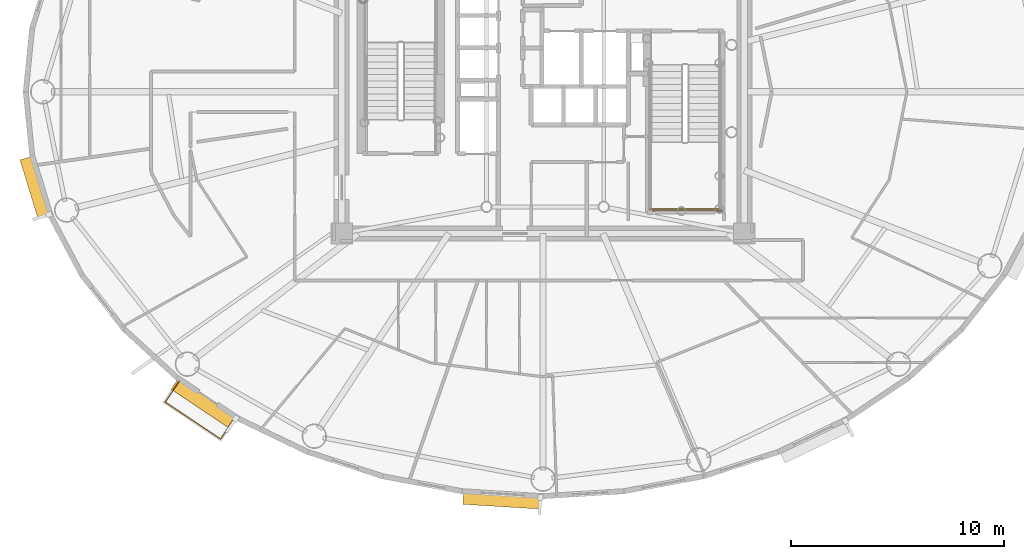
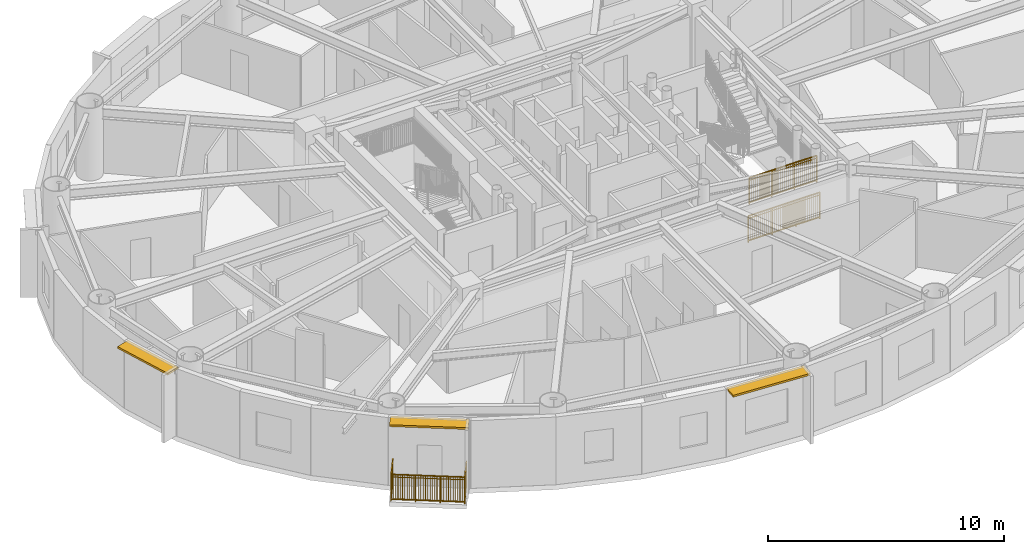
# One storey, part 13 of 19: 3 railings, 3 shading devices.
"""IFC4 building model written with IfcOpenShell, lengths in metres."""

import ifcopenshell
import ifcopenshell.guid

model = None  # the IFC model being written
_history = None  # IfcOwnerHistory: only IFC2X3 demands one
_inside = {}  # id of a spatial element -> (the spatial element, [elements in it])
_under = {}  # id of a project, library or spatial element -> (it, [spatial elements below it])
_declared = {}  # id of a project -> (the project, [libraries it declares])
_typed = {}  # id of a type object -> (the type object, [elements of that type])
_made_of = {}  # id of a material, layer set ... -> (it, [elements and type objects made of it])


def new_model(schema):
    """Start an empty IFC model of exactly this schema.

    Asked for "IFC4X3", IfcOpenShell would pick the latest addendum, in which some entities
    have other attributes; the version numbers below select the first issue.
    IFC2X3 requires an IfcOwnerHistory on every rooted entity: one is made here for all.
    """
    global model, _history
    if schema == "IFC4X3":
        model = ifcopenshell.file(schema_version=(4, 3, 0, 0))
    else:
        model = ifcopenshell.file(schema=schema)
    _inside.clear()
    _under.clear()
    _declared.clear()
    _typed.clear()
    _made_of.clear()
    _history = None
    if model.schema == "IFC2X3":
        org = make("IfcOrganization", Name="unknown")
        user = make(
            "IfcPersonAndOrganization",
            ThePerson=make("IfcPerson", FamilyName="unknown"),
            TheOrganization=org,
        )
        app = make(
            "IfcApplication",
            ApplicationDeveloper=org,
            Version="unknown",
            ApplicationFullName="unknown",
            ApplicationIdentifier="unknown",
        )
        _history = make(
            "IfcOwnerHistory",
            OwningUser=user,
            OwningApplication=app,
            ChangeAction="ADDED",
            CreationDate=0,
        )
    return model


def make(cls, **values):
    """One entity of the class cls with the attributes given. An attribute that is None is left unset."""
    return model.create_entity(
        cls, **{name: value for name, value in values.items() if value is not None}
    )


def rooted(cls, **values):
    """An entity with a GlobalId (a new one), such as an element, a storey or a relation."""
    return make(cls, GlobalId=ifcopenshell.guid.new(), OwnerHistory=_history, **values)


def si_unit(unit_type, name, prefix=None):
    """IfcSIUnit, for example si_unit("LENGTHUNIT", "METRE", prefix="MILLI")."""
    return make("IfcSIUnit", UnitType=unit_type, Prefix=prefix, Name=name)


def assignment(units):
    """IfcUnitAssignment: the units of a project."""
    return None if units is None else make("IfcUnitAssignment", Units=units)


def point(xyz):
    """IfcCartesianPoint."""
    return None if xyz is None else make("IfcCartesianPoint", Coordinates=xyz)


def direction(xyz):
    """IfcDirection."""
    return None if xyz is None else make("IfcDirection", DirectionRatios=xyz)


def frame(location, z_axis=None, x_axis=None):
    """IfcAxis2Placement3D, a coordinate frame: its origin and axes. An axis left out is left unset."""
    return make(
        "IfcAxis2Placement3D",
        Location=point(location),
        Axis=direction(z_axis),
        RefDirection=direction(x_axis),
    )


def frame_2d(location, x_axis=None):
    """IfcAxis2Placement2D, a coordinate frame in the plane: its origin and x axis."""
    return make(
        "IfcAxis2Placement2D", Location=point(location), RefDirection=direction(x_axis)
    )


def origin():
    """The frame at (0, 0, 0) with its axes left unset."""
    return frame((0.0, 0.0, 0.0))


def origin_2d():
    """The frame at (0, 0) in the plane with its x axis left unset."""
    return frame_2d((0.0, 0.0))


def place(relative_to, where):
    """IfcLocalPlacement: puts the frame where relative to a parent placement (None: the world)."""
    return make(
        "IfcLocalPlacement", PlacementRelTo=relative_to, RelativePlacement=where
    )


def context(
    kind, dimensions, precision=None, world=None, true_north=None, identifier=None
):
    """IfcGeometricRepresentationContext, for example the 3D "Model" context."""
    return make(
        "IfcGeometricRepresentationContext",
        ContextIdentifier=identifier,
        ContextType=kind,
        CoordinateSpaceDimension=dimensions,
        Precision=precision,
        WorldCoordinateSystem=world,
        TrueNorth=true_north,
    )


def subcontext(parent, identifier, kind, view, scale=None):
    """IfcGeometricRepresentationSubContext, for example "Body" below "Model"."""
    return make(
        "IfcGeometricRepresentationSubContext",
        ContextIdentifier=identifier,
        ContextType=kind,
        ParentContext=parent,
        TargetScale=scale,
        TargetView=view,
    )


def project(units=None, contexts=None):
    """IfcProject with its units and contexts."""
    return rooted(
        "IfcProject",
        Name="project",
        RepresentationContexts=contexts,
        UnitsInContext=assignment(units),
    )


def spatial(cls, under=None, at=None, **own):
    """A site, building, storey or space (cls), placed at a placement, below another one or the project."""
    s = rooted(cls, ObjectPlacement=at, **own)
    if under is not None:
        _under.setdefault(under.id(), (under, []))[1].append(s)
    return s


def profile(cls, at=None, kind="AREA", **sizes):
    """A parametric profile (cls). Its sizes go by their IFC names, for example OverallWidth=200.0."""
    return make(cls, ProfileType=kind, Position=at, **sizes)


def rectangle(**sizes):
    """IfcRectangleProfileDef."""
    return profile("IfcRectangleProfileDef", **sizes)


def extrude(swept, where, along, depth):
    """IfcExtrudedAreaSolid: the profile swept, set in the frame where, extruded along a direction by depth."""
    return make(
        "IfcExtrudedAreaSolid",
        SweptArea=swept,
        Position=where,
        ExtrudedDirection=direction(along),
        Depth=depth,
    )


def shape(context_of_items, identifier, shape_type, items):
    """IfcShapeRepresentation: the items that make up one representation, for example the "Body"."""
    return make(
        "IfcShapeRepresentation",
        ContextOfItems=context_of_items,
        RepresentationIdentifier=identifier,
        RepresentationType=shape_type,
        Items=items,
    )


def source(mapping_origin, context_of_items, identifier, shape_type, items):
    """IfcRepresentationMap: a shape defined once, which mapped items show again and again."""
    return make(
        "IfcRepresentationMap",
        MappingOrigin=mapping_origin,
        MappedRepresentation=shape(context_of_items, identifier, shape_type, items),
    )


def transform(
    local_origin,
    x_axis=None,
    y_axis=None,
    z_axis=None,
    scale=None,
    scale2=None,
    scale3=None,
    uniform=True,
):
    """IfcCartesianTransformationOperator3D, or its non-uniform kind. x_axis, y_axis, z_axis: its Axis1, 2, 3."""
    if uniform:
        return make(
            "IfcCartesianTransformationOperator3D",
            Axis1=direction(x_axis),
            Axis2=direction(y_axis),
            LocalOrigin=point(local_origin),
            Scale=scale,
            Axis3=direction(z_axis),
        )
    return make(
        "IfcCartesianTransformationOperator3DnonUniform",
        Axis1=direction(x_axis),
        Axis2=direction(y_axis),
        LocalOrigin=point(local_origin),
        Scale=scale,
        Axis3=direction(z_axis),
        Scale2=scale2,
        Scale3=scale3,
    )


def mapped(mapping_source, mapping_target):
    """IfcMappedItem: shows the shape of a source again, moved by a transform."""
    return make(
        "IfcMappedItem", MappingSource=mapping_source, MappingTarget=mapping_target
    )


def material(Name=None, Category=None):
    """IfcMaterial."""
    return make("IfcMaterial", Name=Name, Category=Category)


def layer(
    of_material, thickness, ventilated=None, Name=None, Category=None, Priority=None
):
    """IfcMaterialLayer: one layer of a wall or slab, of a material (None: an air gap)."""
    return make(
        "IfcMaterialLayer",
        Material=of_material,
        LayerThickness=thickness,
        IsVentilated=ventilated,
        Name=Name,
        Category=Category,
        Priority=Priority,
    )


def layer_set(layers, Name=None):
    """IfcMaterialLayerSet."""
    return make("IfcMaterialLayerSet", MaterialLayers=layers, LayerSetName=Name)


def made_of(thing, what):
    """Note that an element or type object is made of a material, layer set ...; save() writes the relation."""
    if what is not None:
        _made_of.setdefault(what.id(), (what, []))[1].append(thing)
    return thing


def type_object(cls, material=None, **own):
    """A type object (cls), such as IfcWallType, which elements share."""
    return made_of(rooted(cls, **own), material)


def element(
    cls,
    number,
    at=None,
    inside=None,
    cuts=None,
    type_object=None,
    material=None,
    context=None,
    identifier="Body",
    shape_type=None,
    held_by="IfcProductDefinitionShape",
    body=None,
    shapes=None,
    **own,
):
    """One element of the class cls, such as IfcWall. Its Tag is "e" and its number.

    at: its placement. inside: the storey or other place that contains it. cuts: it is an
    opening in that element (IfcRelVoidsElement). A single representation is given by context,
    identifier, shape_type and body (its items); several are given by shapes. held_by: the class
    of the entity that holds the representations. save() writes the other relations.
    """
    e = rooted(cls, Tag="e%d" % number, ObjectPlacement=at, **own)
    if body is not None:
        shapes = [shape(context, identifier, shape_type, body)]
    if shapes is not None:
        e.Representation = make(held_by, Representations=shapes)
    if inside is not None:
        _inside.setdefault(inside.id(), (inside, []))[1].append(e)
    if cuts is not None:
        rooted(
            "IfcRelVoidsElement", RelatingBuildingElement=cuts, RelatedOpeningElement=e
        )
    if type_object is not None:
        _typed.setdefault(type_object.id(), (type_object, []))[1].append(e)
    return made_of(e, material)


def aggregate(whole, parts):
    """IfcRelAggregates: a whole, such as a stair, and the parts it consists of."""
    return rooted("IfcRelAggregates", RelatingObject=whole, RelatedObjects=parts)


def save(model, path):
    """Write the relations noted so far, then the file.

    IfcRelAggregates (storeys below a building ...), IfcRelContainedInSpatialStructure (elements
    in a storey), IfcRelDefinesByType, IfcRelAssociatesMaterial and IfcRelDeclares: one each for
    every whole, place, type object, material and project.
    """
    for whole, parts in _under.values():
        aggregate(whole, parts)
    for where, things in _inside.values():
        rooted(
            "IfcRelContainedInSpatialStructure",
            RelatedElements=things,
            RelatingStructure=where,
        )
    for kind, things in _typed.values():
        rooted("IfcRelDefinesByType", RelatedObjects=things, RelatingType=kind)
    for what, things in _made_of.values():
        rooted("IfcRelAssociatesMaterial", RelatedObjects=things, RelatingMaterial=what)
    for by, libraries in _declared.values():
        rooted("IfcRelDeclares", RelatingContext=by, RelatedDefinitions=libraries)
    model.write(path)


model = new_model("IFC4")

# Units and contexts
model_context = context("Model", 3, precision=1e-05, world=origin(), true_north=direction((0.0, 1.0)))
body_context = subcontext(model_context, "Body", "Model", "MODEL_VIEW")
ifc_project = project(units=[si_unit("LENGTHUNIT", "METRE"), si_unit("AREAUNIT", "SQUARE_METRE"), si_unit("VOLUMEUNIT", "CUBIC_METRE"), si_unit("PLANEANGLEUNIT", "RADIAN"), si_unit("MASSUNIT", "GRAM", prefix="KILO")], contexts=[model_context])

# Site, building, storey
site_placement = place(None, origin())
site = spatial("IfcSite", under=ifc_project, at=site_placement, CompositionType="ELEMENT")
building_placement = place(site_placement, origin())
building = spatial("IfcBuilding", under=site, at=building_placement, Name="Linh Dai School and Residence Tower", CompositionType="ELEMENT")
storey_placement = place(building_placement, frame((0.0, 0.0, 236.550048828125)))
storey = spatial("IfcBuildingStorey", under=building, at=storey_placement, Name="L58", CompositionType="ELEMENT", Elevation=236.550048828125)

# Shading devices
ifc_material_1 = material(Name="Terracotta Ceramic Sunshade", Category="masonry")
ifc_layer = layer(ifc_material_1, 0.10009765625)
ifc_layer_set = layer_set([ifc_layer], Name="Terracotta Ceramic Sunshade")
shading_device_type = type_object("IfcShadingDeviceType", Name="SHD-TC-650", PredefinedType="USERDEFINED", material=ifc_layer_set)
shared_shape_1 = source(origin(), body_context, "Body", "SweptSolid", [
    extrude(rectangle(XDim=2.90380859375, YDim=0.64990234375, at=origin_2d()), origin(), (0.0, 0.0, 1.0), 0.10009765625),
])
shading_device_1_placement = place(storey_placement, frame((12.19384765625, 22.506591796875, 3.3798828125), z_axis=(0.0, 0.0, 1.0), x_axis=(-0.2931574026, 0.956064190994, 0.0)))
element("IfcShadingDevice", 1, at=shading_device_1_placement, inside=storey, type_object=shading_device_type, Name="L58 Terracotta Horizontal Sunshade Band 22", ObjectType="SUNSHADE", PredefinedType="USERDEFINED", context=body_context, shape_type="MappedRepresentation", body=[
    mapped(shared_shape_1, transform((0.0, 0.0, 0.0), x_axis=(1.0, 0.0, 0.0), y_axis=(0.0, 1.0, 0.0), z_axis=(0.0, 0.0, 1.0), scale=1.0)),
])
shared_shape_2 = source(origin(), body_context, "Body", "SweptSolid", [
    extrude(rectangle(XDim=3.3447265625, YDim=0.64990234375, at=origin_2d()), origin(), (0.0, 0.0, 1.0), 0.10009765625),
])
shading_device_2_placement = place(storey_placement, frame((20.11328125, 12.3837890625, 3.3798828125), z_axis=(0.0, 0.0, 1.0), x_axis=(-0.831257719597, 0.555887222025, 0.0)))
element("IfcShadingDevice", 2, at=shading_device_2_placement, inside=storey, type_object=shading_device_type, Name="L58 Terracotta Horizontal Sunshade Band 26", ObjectType="SUNSHADE", PredefinedType="USERDEFINED", context=body_context, shape_type="MappedRepresentation", body=[
    mapped(shared_shape_2, transform((0.0, 0.0, 0.0), x_axis=(1.0, 0.0, 0.0), y_axis=(0.0, 1.0, 0.0), z_axis=(0.0, 0.0, 1.0), scale=1.0)),
])
shared_shape_3 = source(origin(), body_context, "Body", "SweptSolid", [
    extrude(rectangle(XDim=3.656494140625, YDim=0.64990234375, at=origin_2d()), origin(), (0.0, 0.0, 1.0), 0.10009765625),
])
shading_device_3_placement = place(storey_placement, frame((34.08154296875, 7.852783203125, 3.3798828125), z_axis=(0.0, 0.0, 1.0), x_axis=(-0.998106809974, 0.061504437922, 0.0)))
element("IfcShadingDevice", 3, at=shading_device_3_placement, inside=storey, type_object=shading_device_type, Name="L58 Terracotta Horizontal Sunshade Band 30", ObjectType="SUNSHADE", PredefinedType="USERDEFINED", context=body_context, shape_type="MappedRepresentation", body=[
    mapped(shared_shape_3, transform((0.0, 0.0, 0.0), x_axis=(1.0, 0.0, 0.0), y_axis=(0.0, 1.0, 0.0), z_axis=(0.0, 0.0, 1.0), scale=1.0)),
])

# Railings
ifc_material_2 = material(Name="Structural Steel S355JR", Category="steel")
railing_type_1 = type_object("IfcRailingType", Name="RL-BAL-1400", PredefinedType="BALUSTRADE", material=ifc_material_2)
shared_shape_4 = source(origin(), body_context, "Body", "SweptSolid", [
    extrude(rectangle(XDim=0.048095703125, YDim=0.048095703125, at=origin_2d()), frame((0.0, 0.0, 1.3759765625), z_axis=(-0.55589317819, -0.831253736498, 0.0), x_axis=(0.831253736498, -0.55589317819, 0.0)), (0.0, 0.0, 1.0), 1.18017578125),
    extrude(rectangle(XDim=0.048095703125, YDim=0.048095703125, at=origin_2d()), frame((0.0, 0.0, 0.10009765625), z_axis=(-0.55589317819, -0.831253736498, 0.0), x_axis=(0.831253736498, -0.55589317819, 0.0)), (0.0, 0.0, 1.0), 1.18017578125),
    extrude(rectangle(XDim=0.030029296875, YDim=0.030029296875, at=origin_2d()), frame((0.0, 0.0, 1.239990234375), z_axis=(-0.55589317819, -0.831253736498, 0.0), x_axis=(0.831253736498, -0.55589317819, 0.0)), (0.0, 0.0, 1.0), 1.18017578125),
    extrude(rectangle(XDim=0.02001953125, YDim=0.02001953125, at=origin_2d()), frame((-0.050537109375, -0.075439453125, 0.10009765625)), (0.0, 0.0, 1.0), 1.251708984375),
    extrude(rectangle(XDim=0.02001953125, YDim=0.02001953125, at=origin_2d()), frame((-0.100830078125, -0.15087890625, 0.10009765625)), (0.0, 0.0, 1.0), 1.251708984375),
    extrude(rectangle(XDim=0.02001953125, YDim=0.02001953125, at=origin_2d()), frame((-0.1513671875, -0.226318359375, 0.10009765625)), (0.0, 0.0, 1.0), 1.251708984375),
    extrude(rectangle(XDim=0.02001953125, YDim=0.02001953125, at=origin_2d()), frame((-0.201904296875, -0.3017578125, 0.10009765625)), (0.0, 0.0, 1.0), 1.251708984375),
    extrude(rectangle(XDim=0.02001953125, YDim=0.02001953125, at=origin_2d()), frame((-0.252197265625, -0.377197265625, 0.10009765625)), (0.0, 0.0, 1.0), 1.251708984375),
    extrude(rectangle(XDim=0.02001953125, YDim=0.02001953125, at=origin_2d()), frame((-0.302734375, -0.45263671875, 0.10009765625)), (0.0, 0.0, 1.0), 1.251708984375),
    extrude(rectangle(XDim=0.02001953125, YDim=0.02001953125, at=origin_2d()), frame((-0.353271484375, -0.5283203125, 0.10009765625)), (0.0, 0.0, 1.0), 1.251708984375),
    extrude(rectangle(XDim=0.02001953125, YDim=0.02001953125, at=origin_2d()), frame((-0.40380859375, -0.603759765625, 0.10009765625)), (0.0, 0.0, 1.0), 1.251708984375),
    extrude(rectangle(XDim=0.02001953125, YDim=0.02001953125, at=origin_2d()), frame((-0.4541015625, -0.67919921875, 0.10009765625)), (0.0, 0.0, 1.0), 1.251708984375),
    extrude(rectangle(XDim=0.02001953125, YDim=0.02001953125, at=origin_2d()), frame((-0.504638671875, -0.754638671875, 0.10009765625)), (0.0, 0.0, 1.0), 1.251708984375),
    extrude(rectangle(XDim=0.02001953125, YDim=0.02001953125, at=origin_2d()), frame((-0.55517578125, -0.830078125, 0.10009765625)), (0.0, 0.0, 1.0), 1.251708984375),
    extrude(rectangle(XDim=0.02001953125, YDim=0.02001953125, at=origin_2d()), frame((-0.60546875, -0.905517578125, 0.10009765625)), (0.0, 0.0, 1.0), 1.251708984375),
    extrude(rectangle(XDim=0.048095703125, YDim=0.048095703125, at=origin_2d()), frame((-0.656005859375, -0.98095703125, 1.3759765625), z_axis=(-0.831267981347, 0.555871876593, 0.0), x_axis=(-0.555871876593, -0.831267981347, 0.0)), (0.0, 0.0, 1.0), 3.1240234375),
    extrude(rectangle(XDim=0.048095703125, YDim=0.048095703125, at=origin_2d()), frame((-0.656005859375, -0.98095703125, 0.10009765625), z_axis=(-0.831267981347, 0.555871876593, 0.0), x_axis=(-0.555871876593, -0.831267981347, 0.0)), (0.0, 0.0, 1.0), 3.1240234375),
    extrude(rectangle(XDim=0.030029296875, YDim=0.030029296875, at=origin_2d()), frame((-0.656005859375, -0.98095703125, 1.239990234375), z_axis=(-0.831267981347, 0.555871876593, 0.0), x_axis=(-0.555871876593, -0.831267981347, 0.0)), (0.0, 0.0, 1.0), 3.1240234375),
    extrude(rectangle(XDim=0.02001953125, YDim=0.02001953125, at=origin_2d()), frame((-0.737060546875, -0.9267578125, 0.10009765625)), (0.0, 0.0, 1.0), 1.251708984375),
    extrude(rectangle(XDim=0.02001953125, YDim=0.02001953125, at=origin_2d()), frame((-0.818359375, -0.872314453125, 0.10009765625)), (0.0, 0.0, 1.0), 1.251708984375),
    extrude(rectangle(XDim=0.02001953125, YDim=0.02001953125, at=origin_2d()), frame((-0.8994140625, -0.818115234375, 0.10009765625)), (0.0, 0.0, 1.0), 1.251708984375),
    extrude(rectangle(XDim=0.02001953125, YDim=0.02001953125, at=origin_2d()), frame((-0.980712890625, -0.763916015625, 0.10009765625)), (0.0, 0.0, 1.0), 1.251708984375),
    extrude(rectangle(XDim=0.02001953125, YDim=0.02001953125, at=origin_2d()), frame((-1.061767578125, -0.709716796875, 0.10009765625)), (0.0, 0.0, 1.0), 1.251708984375),
    extrude(rectangle(XDim=0.02001953125, YDim=0.02001953125, at=origin_2d()), frame((-1.142822265625, -0.6552734375, 0.10009765625)), (0.0, 0.0, 1.0), 1.251708984375),
    extrude(rectangle(XDim=0.02001953125, YDim=0.02001953125, at=origin_2d()), frame((-1.22412109375, -0.60107421875, 0.10009765625)), (0.0, 0.0, 1.0), 1.251708984375),
    extrude(rectangle(XDim=0.02001953125, YDim=0.02001953125, at=origin_2d()), frame((-1.30517578125, -0.546875, 0.10009765625)), (0.0, 0.0, 1.0), 1.251708984375),
    extrude(rectangle(XDim=0.02001953125, YDim=0.02001953125, at=origin_2d()), frame((-1.386474609375, -0.492431640625, 0.10009765625)), (0.0, 0.0, 1.0), 1.251708984375),
    extrude(rectangle(XDim=0.02001953125, YDim=0.02001953125, at=origin_2d()), frame((-1.467529296875, -0.438232421875, 0.10009765625)), (0.0, 0.0, 1.0), 1.251708984375),
    extrude(rectangle(XDim=0.02001953125, YDim=0.02001953125, at=origin_2d()), frame((-1.6298828125, -0.329833984375, 0.10009765625)), (0.0, 0.0, 1.0), 1.251708984375),
    extrude(rectangle(XDim=0.02001953125, YDim=0.02001953125, at=origin_2d()), frame((-1.7109375, -0.275390625, 0.10009765625)), (0.0, 0.0, 1.0), 1.251708984375),
    extrude(rectangle(XDim=0.02001953125, YDim=0.02001953125, at=origin_2d()), frame((-1.792236328125, -0.22119140625, 0.10009765625)), (0.0, 0.0, 1.0), 1.251708984375),
    extrude(rectangle(XDim=0.02001953125, YDim=0.02001953125, at=origin_2d()), frame((-1.873291015625, -0.1669921875, 0.10009765625)), (0.0, 0.0, 1.0), 1.251708984375),
    extrude(rectangle(XDim=0.02001953125, YDim=0.02001953125, at=origin_2d()), frame((-1.95458984375, -0.11279296875, 0.10009765625)), (0.0, 0.0, 1.0), 1.251708984375),
    extrude(rectangle(XDim=0.02001953125, YDim=0.02001953125, at=origin_2d()), frame((-2.03564453125, -0.058349609375, 0.10009765625)), (0.0, 0.0, 1.0), 1.251708984375),
    extrude(rectangle(XDim=0.02001953125, YDim=0.02001953125, at=origin_2d()), frame((-2.11669921875, -0.004150390625, 0.10009765625)), (0.0, 0.0, 1.0), 1.251708984375),
    extrude(rectangle(XDim=0.02001953125, YDim=0.02001953125, at=origin_2d()), frame((-2.197998046875, 0.050048828125, 0.10009765625)), (0.0, 0.0, 1.0), 1.251708984375),
    extrude(rectangle(XDim=0.02001953125, YDim=0.02001953125, at=origin_2d()), frame((-2.279052734375, 0.1044921875, 0.10009765625)), (0.0, 0.0, 1.0), 1.251708984375),
    extrude(rectangle(XDim=0.02001953125, YDim=0.02001953125, at=origin_2d()), frame((-2.44140625, 0.212890625, 0.10009765625)), (0.0, 0.0, 1.0), 1.251708984375),
    extrude(rectangle(XDim=0.02001953125, YDim=0.02001953125, at=origin_2d()), frame((-2.5224609375, 0.26708984375, 0.10009765625)), (0.0, 0.0, 1.0), 1.251708984375),
    extrude(rectangle(XDim=0.02001953125, YDim=0.02001953125, at=origin_2d()), frame((-2.603759765625, 0.321533203125, 0.10009765625)), (0.0, 0.0, 1.0), 1.251708984375),
    extrude(rectangle(XDim=0.02001953125, YDim=0.02001953125, at=origin_2d()), frame((-2.684814453125, 0.375732421875, 0.10009765625)), (0.0, 0.0, 1.0), 1.251708984375),
    extrude(rectangle(XDim=0.02001953125, YDim=0.02001953125, at=origin_2d()), frame((-2.76611328125, 0.429931640625, 0.10009765625)), (0.0, 0.0, 1.0), 1.251708984375),
    extrude(rectangle(XDim=0.02001953125, YDim=0.02001953125, at=origin_2d()), frame((-2.84716796875, 0.484375, 0.10009765625)), (0.0, 0.0, 1.0), 1.251708984375),
    extrude(rectangle(XDim=0.02001953125, YDim=0.02001953125, at=origin_2d()), frame((-2.92822265625, 0.53857421875, 0.10009765625)), (0.0, 0.0, 1.0), 1.251708984375),
    extrude(rectangle(XDim=0.02001953125, YDim=0.02001953125, at=origin_2d()), frame((-3.009521484375, 0.5927734375, 0.10009765625)), (0.0, 0.0, 1.0), 1.251708984375),
    extrude(rectangle(XDim=0.02001953125, YDim=0.02001953125, at=origin_2d()), frame((-3.090576171875, 0.64697265625, 0.10009765625)), (0.0, 0.0, 1.0), 1.251708984375),
    extrude(rectangle(XDim=0.02001953125, YDim=0.02001953125, at=origin_2d()), frame((-3.171875, 0.701416015625, 0.10009765625)), (0.0, 0.0, 1.0), 1.251708984375),
    extrude(rectangle(XDim=0.048095703125, YDim=0.048095703125, at=origin_2d()), frame((-3.2529296875, 0.755615234375, 1.3759765625), z_axis=(0.55589317819, 0.831253736498, 0.0), x_axis=(-0.831253736498, 0.55589317819, 0.0)), (0.0, 0.0, 1.0), 1.18017578125),
    extrude(rectangle(XDim=0.048095703125, YDim=0.048095703125, at=origin_2d()), frame((-3.2529296875, 0.755615234375, 0.10009765625), z_axis=(0.55589317819, 0.831253736498, 0.0), x_axis=(-0.831253736498, 0.55589317819, 0.0)), (0.0, 0.0, 1.0), 1.18017578125),
    extrude(rectangle(XDim=0.030029296875, YDim=0.030029296875, at=origin_2d()), frame((-3.2529296875, 0.755615234375, 1.239990234375), z_axis=(0.55589317819, 0.831253736498, 0.0), x_axis=(-0.831253736498, 0.55589317819, 0.0)), (0.0, 0.0, 1.0), 1.18017578125),
    extrude(rectangle(XDim=0.02001953125, YDim=0.02001953125, at=origin_2d()), frame((-3.202392578125, 0.8310546875, 0.10009765625)), (0.0, 0.0, 1.0), 1.251708984375),
    extrude(rectangle(XDim=0.02001953125, YDim=0.02001953125, at=origin_2d()), frame((-3.152099609375, 0.906494140625, 0.10009765625)), (0.0, 0.0, 1.0), 1.251708984375),
    extrude(rectangle(XDim=0.02001953125, YDim=0.02001953125, at=origin_2d()), frame((-3.1015625, 0.98193359375, 0.10009765625)), (0.0, 0.0, 1.0), 1.251708984375),
    extrude(rectangle(XDim=0.02001953125, YDim=0.02001953125, at=origin_2d()), frame((-3.051025390625, 1.057373046875, 0.10009765625)), (0.0, 0.0, 1.0), 1.251708984375),
    extrude(rectangle(XDim=0.02001953125, YDim=0.02001953125, at=origin_2d()), frame((-3.000732421875, 1.1328125, 0.10009765625)), (0.0, 0.0, 1.0), 1.251708984375),
    extrude(rectangle(XDim=0.02001953125, YDim=0.02001953125, at=origin_2d()), frame((-2.9501953125, 1.208251953125, 0.10009765625)), (0.0, 0.0, 1.0), 1.251708984375),
    extrude(rectangle(XDim=0.02001953125, YDim=0.02001953125, at=origin_2d()), frame((-2.899658203125, 1.283935546875, 0.10009765625)), (0.0, 0.0, 1.0), 1.251708984375),
    extrude(rectangle(XDim=0.02001953125, YDim=0.02001953125, at=origin_2d()), frame((-2.84912109375, 1.359375, 0.10009765625)), (0.0, 0.0, 1.0), 1.251708984375),
    extrude(rectangle(XDim=0.02001953125, YDim=0.02001953125, at=origin_2d()), frame((-2.798828125, 1.434814453125, 0.10009765625)), (0.0, 0.0, 1.0), 1.251708984375),
    extrude(rectangle(XDim=0.02001953125, YDim=0.02001953125, at=origin_2d()), frame((-2.748291015625, 1.51025390625, 0.10009765625)), (0.0, 0.0, 1.0), 1.251708984375),
    extrude(rectangle(XDim=0.02001953125, YDim=0.02001953125, at=origin_2d()), frame((-2.69775390625, 1.585693359375, 0.10009765625)), (0.0, 0.0, 1.0), 1.251708984375),
    extrude(rectangle(XDim=0.02001953125, YDim=0.02001953125, at=origin_2d()), frame((-2.6474609375, 1.6611328125, 0.10009765625)), (0.0, 0.0, 1.0), 1.251708984375),
    extrude(rectangle(XDim=0.0419921875, YDim=0.0419921875, at=origin_2d()), origin(), (0.0, 0.0, 1.0), 1.3759765625),
    extrude(rectangle(XDim=0.0419921875, YDim=0.0419921875, at=origin_2d()), frame((-0.656005859375, -0.98095703125, 0.0)), (0.0, 0.0, 1.0), 1.3759765625),
    extrude(rectangle(XDim=0.0419921875, YDim=0.0419921875, at=origin_2d()), frame((-1.521728515625, -0.402099609375, 0.0)), (0.0, 0.0, 1.0), 1.3759765625),
    extrude(rectangle(XDim=0.0419921875, YDim=0.0419921875, at=origin_2d()), frame((-2.38720703125, 0.1767578125, 0.0)), (0.0, 0.0, 1.0), 1.3759765625),
    extrude(rectangle(XDim=0.0419921875, YDim=0.0419921875, at=origin_2d()), frame((-3.2529296875, 0.755615234375, 0.0)), (0.0, 0.0, 1.0), 1.3759765625),
    extrude(rectangle(XDim=0.0419921875, YDim=0.0419921875, at=origin_2d()), frame((-2.596923828125, 1.736572265625, 0.0)), (0.0, 0.0, 1.0), 1.3759765625),
])
railing_1_placement = place(storey_placement, frame((21.52294921875, 11.681884765625, 0.0)))
element("IfcRailing", 4, at=railing_1_placement, inside=storey, type_object=railing_type_1, Name="L58 Balcony Safety Balustrade 26", PredefinedType="BALUSTRADE", context=body_context, shape_type="MappedRepresentation", body=[
    mapped(shared_shape_4, transform((0.0, 0.0, 0.0), x_axis=(1.0, 0.0, 0.0), y_axis=(0.0, 1.0, 0.0), z_axis=(0.0, 0.0, 1.0), scale=1.0)),
])
railing_type_2 = type_object("IfcRailingType", Name="RL-ST-GUARD-1400", PredefinedType="GUARDRAIL", material=ifc_material_2)
shared_shape_5 = source(origin(), body_context, "Body", "SweptSolid", [
    extrude(rectangle(XDim=0.048095703125, YDim=0.048095703125, at=origin_2d()), frame((0.0, 0.0, 1.3759765625), z_axis=(1.0, 0.0, 0.0), x_axis=(0.0, 1.0, 0.0)), (0.0, 0.0, 1.0), 3.300048828125),
    extrude(rectangle(XDim=0.048095703125, YDim=0.048095703125, at=origin_2d()), frame((0.0, 0.0, 0.10009765625), z_axis=(1.0, 0.0, 0.0), x_axis=(0.0, 1.0, 0.0)), (0.0, 0.0, 1.0), 3.300048828125),
    extrude(rectangle(XDim=0.030029296875, YDim=0.030029296875, at=origin_2d()), frame((0.0, 0.0, 1.239990234375), z_axis=(1.0, 0.0, 0.0), x_axis=(0.0, 1.0, 0.0)), (0.0, 0.0, 1.0), 3.300048828125),
    extrude(rectangle(XDim=0.02001953125, YDim=0.02001953125, at=origin_2d()), frame((0.09716796875, 0.0, 0.10009765625)), (0.0, 0.0, 1.0), 1.251708984375),
    extrude(rectangle(XDim=0.02001953125, YDim=0.02001953125, at=origin_2d()), frame((0.194091796875, 0.0, 0.10009765625)), (0.0, 0.0, 1.0), 1.251708984375),
    extrude(rectangle(XDim=0.02001953125, YDim=0.02001953125, at=origin_2d()), frame((0.291259765625, 0.0, 0.10009765625)), (0.0, 0.0, 1.0), 1.251708984375),
    extrude(rectangle(XDim=0.02001953125, YDim=0.02001953125, at=origin_2d()), frame((0.38818359375, 0.0, 0.10009765625)), (0.0, 0.0, 1.0), 1.251708984375),
    extrude(rectangle(XDim=0.02001953125, YDim=0.02001953125, at=origin_2d()), frame((0.4853515625, 0.0, 0.10009765625)), (0.0, 0.0, 1.0), 1.251708984375),
    extrude(rectangle(XDim=0.02001953125, YDim=0.02001953125, at=origin_2d()), frame((0.582275390625, 0.0, 0.10009765625)), (0.0, 0.0, 1.0), 1.251708984375),
    extrude(rectangle(XDim=0.02001953125, YDim=0.02001953125, at=origin_2d()), frame((0.679443359375, 0.0, 0.10009765625)), (0.0, 0.0, 1.0), 1.251708984375),
    extrude(rectangle(XDim=0.02001953125, YDim=0.02001953125, at=origin_2d()), frame((0.7763671875, 0.0, 0.10009765625)), (0.0, 0.0, 1.0), 1.251708984375),
    extrude(rectangle(XDim=0.02001953125, YDim=0.02001953125, at=origin_2d()), frame((0.87353515625, 0.0, 0.10009765625)), (0.0, 0.0, 1.0), 1.251708984375),
    extrude(rectangle(XDim=0.02001953125, YDim=0.02001953125, at=origin_2d()), frame((0.970703125, 0.0, 0.10009765625)), (0.0, 0.0, 1.0), 1.251708984375),
    extrude(rectangle(XDim=0.02001953125, YDim=0.02001953125, at=origin_2d()), frame((1.164794921875, 0.0, 0.10009765625)), (0.0, 0.0, 1.0), 1.251708984375),
    extrude(rectangle(XDim=0.02001953125, YDim=0.02001953125, at=origin_2d()), frame((1.26171875, 0.0, 0.10009765625)), (0.0, 0.0, 1.0), 1.251708984375),
    extrude(rectangle(XDim=0.02001953125, YDim=0.02001953125, at=origin_2d()), frame((1.35888671875, 0.0, 0.10009765625)), (0.0, 0.0, 1.0), 1.251708984375),
    extrude(rectangle(XDim=0.02001953125, YDim=0.02001953125, at=origin_2d()), frame((1.455810546875, 0.0, 0.10009765625)), (0.0, 0.0, 1.0), 1.251708984375),
    extrude(rectangle(XDim=0.02001953125, YDim=0.02001953125, at=origin_2d()), frame((1.552978515625, 0.0, 0.10009765625)), (0.0, 0.0, 1.0), 1.251708984375),
    extrude(rectangle(XDim=0.02001953125, YDim=0.02001953125, at=origin_2d()), frame((1.64990234375, 0.0, 0.10009765625)), (0.0, 0.0, 1.0), 1.251708984375),
    extrude(rectangle(XDim=0.02001953125, YDim=0.02001953125, at=origin_2d()), frame((1.7470703125, 0.0, 0.10009765625)), (0.0, 0.0, 1.0), 1.251708984375),
    extrude(rectangle(XDim=0.02001953125, YDim=0.02001953125, at=origin_2d()), frame((1.84423828125, 0.0, 0.10009765625)), (0.0, 0.0, 1.0), 1.251708984375),
    extrude(rectangle(XDim=0.02001953125, YDim=0.02001953125, at=origin_2d()), frame((1.941162109375, 0.0, 0.10009765625)), (0.0, 0.0, 1.0), 1.251708984375),
    extrude(rectangle(XDim=0.02001953125, YDim=0.02001953125, at=origin_2d()), frame((2.038330078125, 0.0, 0.10009765625)), (0.0, 0.0, 1.0), 1.251708984375),
    extrude(rectangle(XDim=0.02001953125, YDim=0.02001953125, at=origin_2d()), frame((2.13525390625, 0.0, 0.10009765625)), (0.0, 0.0, 1.0), 1.251708984375),
    extrude(rectangle(XDim=0.02001953125, YDim=0.02001953125, at=origin_2d()), frame((2.329345703125, 0.0, 0.10009765625)), (0.0, 0.0, 1.0), 1.251708984375),
    extrude(rectangle(XDim=0.02001953125, YDim=0.02001953125, at=origin_2d()), frame((2.426513671875, 0.0, 0.10009765625)), (0.0, 0.0, 1.0), 1.251708984375),
    extrude(rectangle(XDim=0.02001953125, YDim=0.02001953125, at=origin_2d()), frame((2.523681640625, 0.0, 0.10009765625)), (0.0, 0.0, 1.0), 1.251708984375),
    extrude(rectangle(XDim=0.02001953125, YDim=0.02001953125, at=origin_2d()), frame((2.62060546875, 0.0, 0.10009765625)), (0.0, 0.0, 1.0), 1.251708984375),
    extrude(rectangle(XDim=0.02001953125, YDim=0.02001953125, at=origin_2d()), frame((2.7177734375, 0.0, 0.10009765625)), (0.0, 0.0, 1.0), 1.251708984375),
    extrude(rectangle(XDim=0.02001953125, YDim=0.02001953125, at=origin_2d()), frame((2.814697265625, 0.0, 0.10009765625)), (0.0, 0.0, 1.0), 1.251708984375),
    extrude(rectangle(XDim=0.02001953125, YDim=0.02001953125, at=origin_2d()), frame((2.911865234375, 0.0, 0.10009765625)), (0.0, 0.0, 1.0), 1.251708984375),
    extrude(rectangle(XDim=0.02001953125, YDim=0.02001953125, at=origin_2d()), frame((3.0087890625, 0.0, 0.10009765625)), (0.0, 0.0, 1.0), 1.251708984375),
    extrude(rectangle(XDim=0.02001953125, YDim=0.02001953125, at=origin_2d()), frame((3.10595703125, 0.0, 0.10009765625)), (0.0, 0.0, 1.0), 1.251708984375),
    extrude(rectangle(XDim=0.02001953125, YDim=0.02001953125, at=origin_2d()), frame((3.202880859375, 0.0, 0.10009765625)), (0.0, 0.0, 1.0), 1.251708984375),
    extrude(rectangle(XDim=0.0419921875, YDim=0.0419921875, at=origin_2d()), origin(), (0.0, 0.0, 1.0), 1.3759765625),
    extrude(rectangle(XDim=0.0419921875, YDim=0.0419921875, at=origin_2d()), frame((1.10009765625, 0.0, 0.0)), (0.0, 0.0, 1.0), 1.3759765625),
    extrude(rectangle(XDim=0.0419921875, YDim=0.0419921875, at=origin_2d()), frame((2.199951171875, 0.0, 0.0)), (0.0, 0.0, 1.0), 1.3759765625),
    extrude(rectangle(XDim=0.0419921875, YDim=0.0419921875, at=origin_2d()), frame((3.300048828125, 0.0, 0.0)), (0.0, 0.0, 1.0), 1.3759765625),
])
railing_2_placement = place(storey_placement, frame((41.02001953125, 21.5, 1.875)))
element("IfcRailing", 5, at=railing_2_placement, inside=storey, type_object=railing_type_2, Name="L58 ST2 stair guard 5", PredefinedType="GUARDRAIL", context=body_context, shape_type="MappedRepresentation", body=[
    mapped(shared_shape_5, transform((0.0, 0.0, 0.0), x_axis=(1.0, 0.0, 0.0), y_axis=(0.0, 1.0, 0.0), z_axis=(0.0, 0.0, 1.0), scale=1.0)),
])
shared_shape_6 = source(origin(), body_context, "Body", "SweptSolid", [
    extrude(rectangle(XDim=0.048095703125, YDim=0.048095703125, at=origin_2d()), frame((0.0, 0.0, 1.3759765625), z_axis=(1.0, 0.0, 0.0), x_axis=(0.0, 1.0, 0.0)), (0.0, 0.0, 1.0), 3.5),
    extrude(rectangle(XDim=0.048095703125, YDim=0.048095703125, at=origin_2d()), frame((0.0, 0.0, 0.10009765625), z_axis=(1.0, 0.0, 0.0), x_axis=(0.0, 1.0, 0.0)), (0.0, 0.0, 1.0), 3.5),
    extrude(rectangle(XDim=0.030029296875, YDim=0.030029296875, at=origin_2d()), frame((0.0, 0.0, 1.239990234375), z_axis=(1.0, 0.0, 0.0), x_axis=(0.0, 1.0, 0.0)), (0.0, 0.0, 1.0), 3.5),
    extrude(rectangle(XDim=0.02001953125, YDim=0.02001953125, at=origin_2d()), frame((0.09716796875, 0.0, 0.10009765625)), (0.0, 0.0, 1.0), 1.251708984375),
    extrude(rectangle(XDim=0.02001953125, YDim=0.02001953125, at=origin_2d()), frame((0.1943359375, 0.0, 0.10009765625)), (0.0, 0.0, 1.0), 1.251708984375),
    extrude(rectangle(XDim=0.02001953125, YDim=0.02001953125, at=origin_2d()), frame((0.291748046875, 0.0, 0.10009765625)), (0.0, 0.0, 1.0), 1.251708984375),
    extrude(rectangle(XDim=0.02001953125, YDim=0.02001953125, at=origin_2d()), frame((0.388916015625, 0.0, 0.10009765625)), (0.0, 0.0, 1.0), 1.251708984375),
    extrude(rectangle(XDim=0.02001953125, YDim=0.02001953125, at=origin_2d()), frame((0.486083984375, 0.0, 0.10009765625)), (0.0, 0.0, 1.0), 1.251708984375),
    extrude(rectangle(XDim=0.02001953125, YDim=0.02001953125, at=origin_2d()), frame((0.583251953125, 0.0, 0.10009765625)), (0.0, 0.0, 1.0), 1.251708984375),
    extrude(rectangle(XDim=0.02001953125, YDim=0.02001953125, at=origin_2d()), frame((0.6806640625, 0.0, 0.10009765625)), (0.0, 0.0, 1.0), 1.251708984375),
    extrude(rectangle(XDim=0.02001953125, YDim=0.02001953125, at=origin_2d()), frame((0.77783203125, 0.0, 0.10009765625)), (0.0, 0.0, 1.0), 1.251708984375),
    extrude(rectangle(XDim=0.02001953125, YDim=0.02001953125, at=origin_2d()), frame((0.875, 0.0, 0.10009765625)), (0.0, 0.0, 1.0), 1.251708984375),
    extrude(rectangle(XDim=0.02001953125, YDim=0.02001953125, at=origin_2d()), frame((0.97216796875, 0.0, 0.10009765625)), (0.0, 0.0, 1.0), 1.251708984375),
    extrude(rectangle(XDim=0.02001953125, YDim=0.02001953125, at=origin_2d()), frame((1.0693359375, 0.0, 0.10009765625)), (0.0, 0.0, 1.0), 1.251708984375),
    extrude(rectangle(XDim=0.02001953125, YDim=0.02001953125, at=origin_2d()), frame((1.263916015625, 0.0, 0.10009765625)), (0.0, 0.0, 1.0), 1.251708984375),
    extrude(rectangle(XDim=0.02001953125, YDim=0.02001953125, at=origin_2d()), frame((1.361083984375, 0.0, 0.10009765625)), (0.0, 0.0, 1.0), 1.251708984375),
    extrude(rectangle(XDim=0.02001953125, YDim=0.02001953125, at=origin_2d()), frame((1.458251953125, 0.0, 0.10009765625)), (0.0, 0.0, 1.0), 1.251708984375),
    extrude(rectangle(XDim=0.02001953125, YDim=0.02001953125, at=origin_2d()), frame((1.5556640625, 0.0, 0.10009765625)), (0.0, 0.0, 1.0), 1.251708984375),
    extrude(rectangle(XDim=0.02001953125, YDim=0.02001953125, at=origin_2d()), frame((1.65283203125, 0.0, 0.10009765625)), (0.0, 0.0, 1.0), 1.251708984375),
    extrude(rectangle(XDim=0.02001953125, YDim=0.02001953125, at=origin_2d()), frame((1.75, 0.0, 0.10009765625)), (0.0, 0.0, 1.0), 1.251708984375),
    extrude(rectangle(XDim=0.02001953125, YDim=0.02001953125, at=origin_2d()), frame((1.84716796875, 0.0, 0.10009765625)), (0.0, 0.0, 1.0), 1.251708984375),
    extrude(rectangle(XDim=0.02001953125, YDim=0.02001953125, at=origin_2d()), frame((1.9443359375, 0.0, 0.10009765625)), (0.0, 0.0, 1.0), 1.251708984375),
    extrude(rectangle(XDim=0.02001953125, YDim=0.02001953125, at=origin_2d()), frame((2.041748046875, 0.0, 0.10009765625)), (0.0, 0.0, 1.0), 1.251708984375),
    extrude(rectangle(XDim=0.02001953125, YDim=0.02001953125, at=origin_2d()), frame((2.138916015625, 0.0, 0.10009765625)), (0.0, 0.0, 1.0), 1.251708984375),
    extrude(rectangle(XDim=0.02001953125, YDim=0.02001953125, at=origin_2d()), frame((2.236083984375, 0.0, 0.10009765625)), (0.0, 0.0, 1.0), 1.251708984375),
    extrude(rectangle(XDim=0.02001953125, YDim=0.02001953125, at=origin_2d()), frame((2.4306640625, 0.0, 0.10009765625)), (0.0, 0.0, 1.0), 1.251708984375),
    extrude(rectangle(XDim=0.02001953125, YDim=0.02001953125, at=origin_2d()), frame((2.52783203125, 0.0, 0.10009765625)), (0.0, 0.0, 1.0), 1.251708984375),
    extrude(rectangle(XDim=0.02001953125, YDim=0.02001953125, at=origin_2d()), frame((2.625, 0.0, 0.10009765625)), (0.0, 0.0, 1.0), 1.251708984375),
    extrude(rectangle(XDim=0.02001953125, YDim=0.02001953125, at=origin_2d()), frame((2.72216796875, 0.0, 0.10009765625)), (0.0, 0.0, 1.0), 1.251708984375),
    extrude(rectangle(XDim=0.02001953125, YDim=0.02001953125, at=origin_2d()), frame((2.8193359375, 0.0, 0.10009765625)), (0.0, 0.0, 1.0), 1.251708984375),
    extrude(rectangle(XDim=0.02001953125, YDim=0.02001953125, at=origin_2d()), frame((2.916748046875, 0.0, 0.10009765625)), (0.0, 0.0, 1.0), 1.251708984375),
    extrude(rectangle(XDim=0.02001953125, YDim=0.02001953125, at=origin_2d()), frame((3.013916015625, 0.0, 0.10009765625)), (0.0, 0.0, 1.0), 1.251708984375),
    extrude(rectangle(XDim=0.02001953125, YDim=0.02001953125, at=origin_2d()), frame((3.111083984375, 0.0, 0.10009765625)), (0.0, 0.0, 1.0), 1.251708984375),
    extrude(rectangle(XDim=0.02001953125, YDim=0.02001953125, at=origin_2d()), frame((3.208251953125, 0.0, 0.10009765625)), (0.0, 0.0, 1.0), 1.251708984375),
    extrude(rectangle(XDim=0.02001953125, YDim=0.02001953125, at=origin_2d()), frame((3.3056640625, 0.0, 0.10009765625)), (0.0, 0.0, 1.0), 1.251708984375),
    extrude(rectangle(XDim=0.02001953125, YDim=0.02001953125, at=origin_2d()), frame((3.40283203125, 0.0, 0.10009765625)), (0.0, 0.0, 1.0), 1.251708984375),
    extrude(rectangle(XDim=0.0419921875, YDim=0.0419921875, at=origin_2d()), origin(), (0.0, 0.0, 1.0), 1.3759765625),
    extrude(rectangle(XDim=0.0419921875, YDim=0.0419921875, at=origin_2d()), frame((1.166748046875, 0.0, 0.0)), (0.0, 0.0, 1.0), 1.3759765625),
    extrude(rectangle(XDim=0.0419921875, YDim=0.0419921875, at=origin_2d()), frame((2.333251953125, 0.0, 0.0)), (0.0, 0.0, 1.0), 1.3759765625),
    extrude(rectangle(XDim=0.0419921875, YDim=0.0419921875, at=origin_2d()), frame((3.5, 0.0, 0.0)), (0.0, 0.0, 1.0), 1.3759765625),
])
railing_3_placement = place(storey_placement, frame((40.919921875, 21.39990234375, 0.0)))
element("IfcRailing", 6, at=railing_3_placement, inside=storey, type_object=railing_type_2, Name="L58 ST2 stair guard 12", PredefinedType="GUARDRAIL", context=body_context, shape_type="MappedRepresentation", body=[
    mapped(shared_shape_6, transform((0.0, 0.0, 0.0), x_axis=(1.0, 0.0, 0.0), y_axis=(0.0, 1.0, 0.0), z_axis=(0.0, 0.0, 1.0), scale=1.0)),
])

save(model, "model.ifc")
